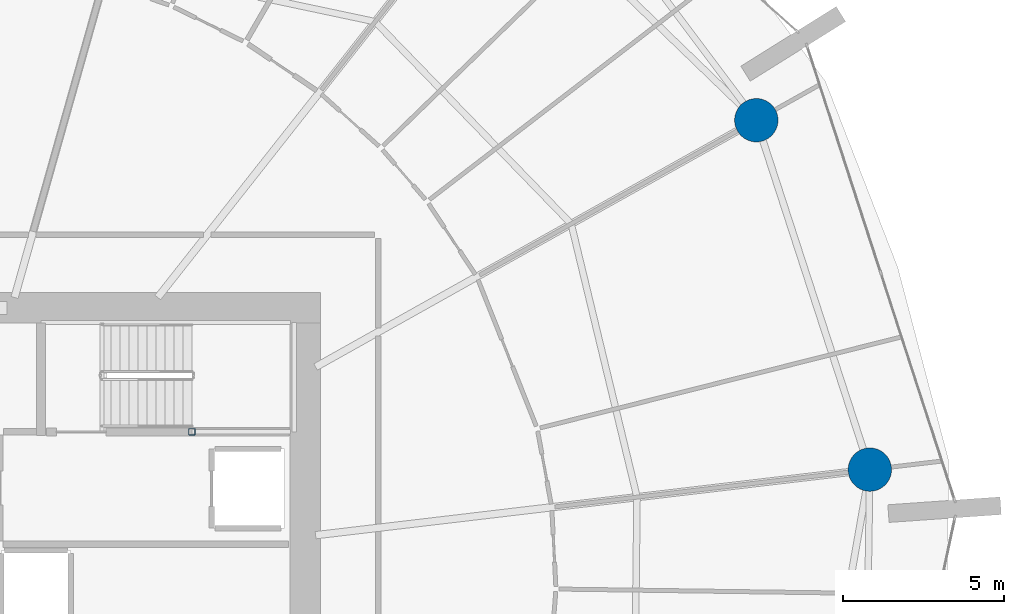
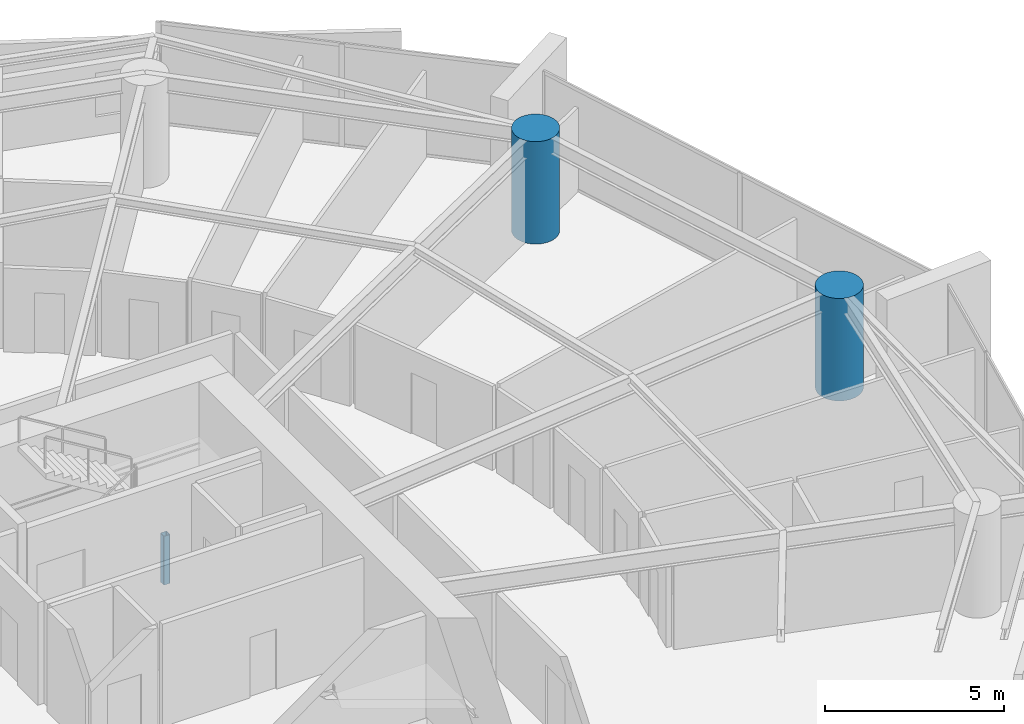
# One storey, part 5 of 31: 3 columns.
"""IFC4 building model written with IfcOpenShell, lengths in metres."""

from ifc_helpers import new_model, si_unit, direction, frame, origin, origin_2d, place, context, subcontext, project, spatial, hollow_rectangle, circle, extrude, material, material_profile, profile_set, type_object, element, save


model = new_model("IFC4")

# Units and contexts
model_context = context("Model", 3, precision=1e-05, world=origin(), true_north=direction((0.0, 1.0)))
body_context = subcontext(model_context, "Body", "Model", "MODEL_VIEW")
ifc_project = project(units=[si_unit("LENGTHUNIT", "METRE"), si_unit("AREAUNIT", "SQUARE_METRE"), si_unit("VOLUMEUNIT", "CUBIC_METRE"), si_unit("PLANEANGLEUNIT", "RADIAN"), si_unit("MASSUNIT", "GRAM", prefix="KILO")], contexts=[model_context])

# Site, building, storey
site_placement = place(None, origin())
site = spatial("IfcSite", under=ifc_project, at=site_placement, CompositionType="ELEMENT")
building_placement = place(site_placement, origin())
building = spatial("IfcBuilding", under=site, at=building_placement, Name="Kazma Halo Residences", CompositionType="ELEMENT")
storey_placement = place(building_placement, frame((0.0, 0.0, 45.14990234375)))
storey = spatial("IfcBuildingStorey", under=building, at=storey_placement, Name="L10", CompositionType="ELEMENT", Elevation=45.14990234375)

# Columns
ifc_material_1 = material(Name="Steel S355", Category="steel")
ifc_material_profile_1 = material_profile(ifc_material_1, hollow_rectangle(XDim=0.199951171875, YDim=0.199951171875, WallThickness=0.010009765625, InnerFilletRadius=0.010009765625, OuterFilletRadius=0.02001953125, at=origin_2d()), Name="SHS200x200x10")
ifc_profile_set_1 = profile_set([ifc_material_profile_1], Name="Steel S355")
column_type_1 = type_object("IfcColumnType", Name="COL-LP-SHS200", PredefinedType="COLUMN", material=ifc_profile_set_1)
column_placement = place(storey_placement, frame((56.0, 46.6201171875, 0.0), z_axis=(0.0, 0.0, 1.0), x_axis=(1.0, 0.0, 0.0)))
element("IfcColumn", 1, at=column_placement, inside=storey, type_object=column_type_1, Name="L10 ST-02 landing pilaster 1", PredefinedType="COLUMN", context=body_context, shape_type="SweptSolid", body=[
    extrude(hollow_rectangle(XDim=0.199951171875, YDim=0.199951171875, WallThickness=0.010009765625, InnerFilletRadius=0.010009765625, OuterFilletRadius=0.02001953125, at=origin_2d()), origin(), (0.0, 0.0, 1.0), 1.670166015625),
])
ifc_material_2 = material(Name="Concrete C80/95", Category="concrete")
ifc_material_profile_2 = material_profile(ifc_material_2, circle(Radius=0.675048828125, at=origin_2d()), Name="CIRC1350")
ifc_profile_set_2 = profile_set([ifc_material_profile_2], Name="Concrete C80/95")
column_type_2 = type_object("IfcColumnType", Name="COL-PERIM-1350", PredefinedType="COLUMN", material=ifc_profile_set_2)
for number, where, z_axis, x_axis, name in (
    (2, (73.56494140625, 56.317138671875, 0.0), (0.0, 0.0, 1.0), (1.0, 0.0, 0.0), "L10 perimeter ring column P01"),
    (3, (77.097900390625, 45.444091796875, 0.0), (0.0, 0.0, 1.0), (1.0, 0.0, 0.0), "L10 perimeter ring column P16"),
):
    element("IfcColumn", number, at=place(storey_placement, frame(where, z_axis=z_axis, x_axis=x_axis)), inside=storey, type_object=column_type_2, Name=name, PredefinedType="COLUMN", context=body_context, shape_type="SweptSolid", body=[
        extrude(circle(Radius=0.675048828125, at=origin_2d()), origin(), (0.0, 0.0, 1.0), 3.5),
    ])

save(model, "model.ifc")
